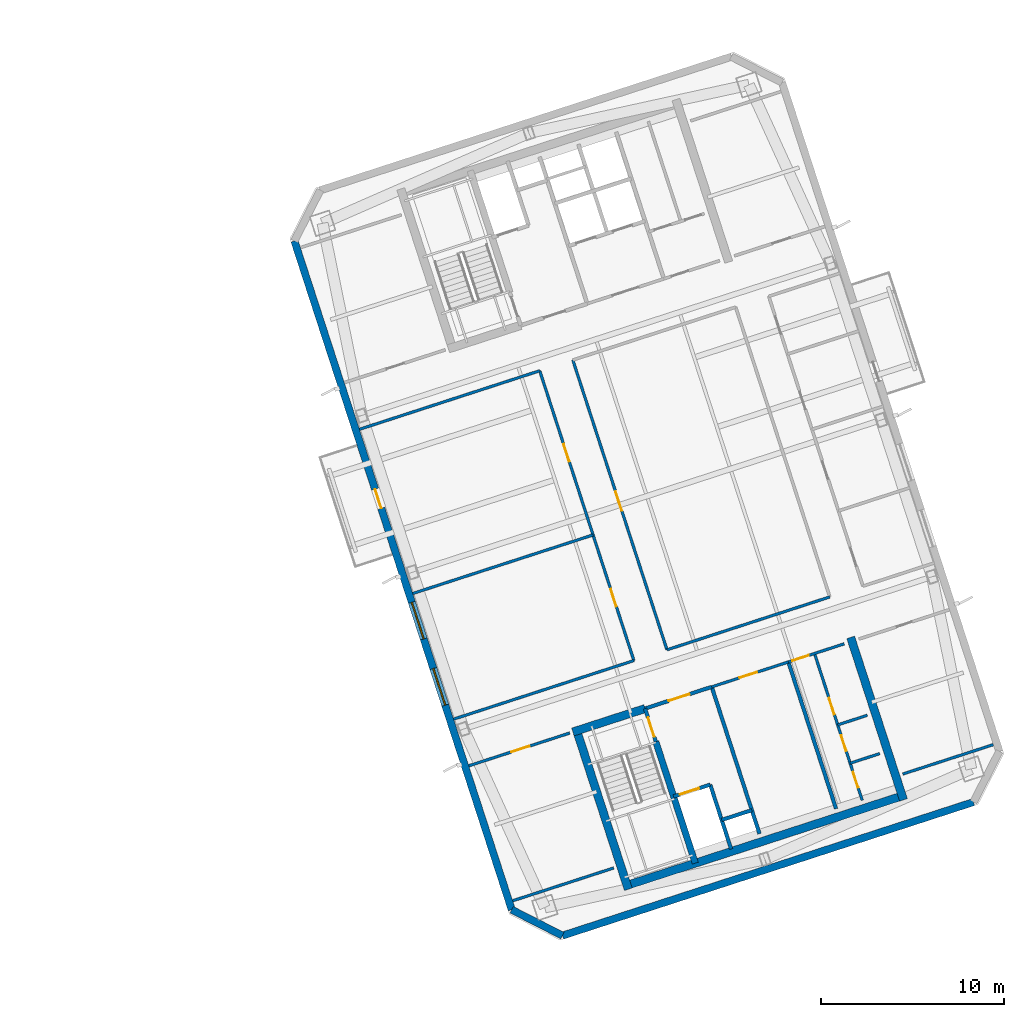
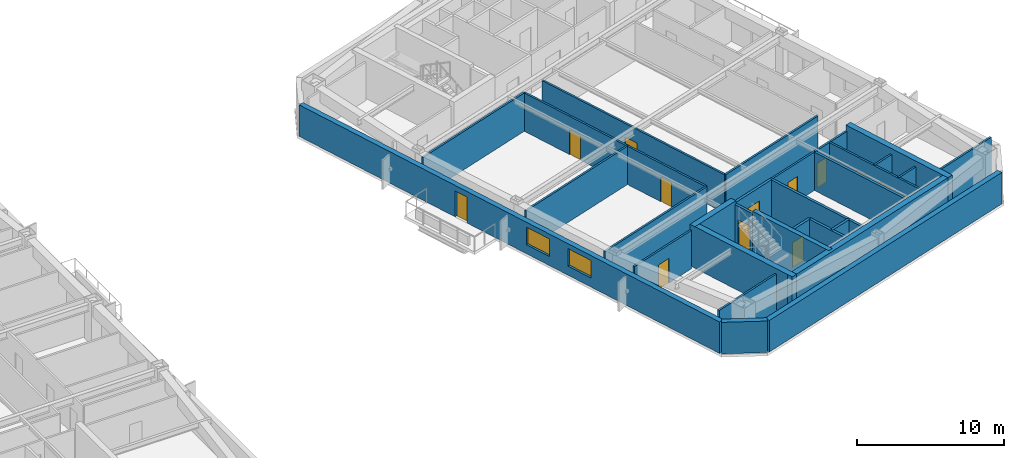
# One storey, part 8 of 17: 29 walls, 13 doors, 2 windows, 15 openings.
"""IFC4 building model written with IfcOpenShell, lengths in metres."""

from ifc_helpers import new_model, si_unit, direction, frame, frame_2d, origin, place, context, subcontext, project, spatial, rectangle, extrude, material, layer, layer_set, type_object, element, fill, save


model = new_model("IFC4")

# Units and contexts
model_context = context("Model", 3, precision=1e-05, world=origin(), true_north=direction((0.0, 1.0)))
body_context = subcontext(model_context, "Body", "Model", "MODEL_VIEW")
ifc_project = project(units=[si_unit("LENGTHUNIT", "METRE"), si_unit("AREAUNIT", "SQUARE_METRE"), si_unit("VOLUMEUNIT", "CUBIC_METRE"), si_unit("PLANEANGLEUNIT", "RADIAN"), si_unit("MASSUNIT", "GRAM", prefix="KILO")], contexts=[model_context])

# Site, building, storey
site_placement = place(None, origin())
site = spatial("IfcSite", under=ifc_project, at=site_placement, CompositionType="ELEMENT")
building_placement = place(site_placement, origin())
building = spatial("IfcBuilding", under=site, at=building_placement, Name="Qiaolan Cultural Towers", CompositionType="ELEMENT")
storey_placement = place(building_placement, frame((0.0, 0.0, 205.85009765625)))
storey = spatial("IfcBuildingStorey", under=building, at=storey_placement, Name="L55", CompositionType="ELEMENT", Elevation=205.85009765625)

# Walls
ifc_material_1 = material(Name="Concrete C50", Category="concrete")
ifc_layer_1 = layer(ifc_material_1, 0.35009765625)
ifc_layer_set_1 = layer_set([ifc_layer_1], Name="Concrete C50")
wall_type_1 = type_object("IfcWallType", Name="WL-CORE-350", PredefinedType="SHEAR", material=ifc_layer_set_1)
wall_1_placement = place(storey_placement, frame((90.486328125, 20.59423828125, 0.0), z_axis=(0.0, 0.0, 1.0), x_axis=(0.309020428229, -0.951055400562, 0.0)))
element("IfcWall", 1, at=wall_1_placement, inside=storey, type_object=wall_type_1, Name="L55 T2-CS Stair Core Dividing Web", PredefinedType="SHEAR", context=body_context, shape_type="SweptSolid", body=[
    extrude(rectangle(XDim=6.97998046875, YDim=0.35009765625, at=frame_2d((3.489990234375, 0.0))), origin(), (0.0, 0.0, 1.0), 3.449951171875),
])
ifc_material_2 = material(Name="Concrete C50", Category="concrete")
ifc_layer_2 = layer(ifc_material_2, 0.449951171875)
ifc_layer_set_2 = layer_set([ifc_layer_2], Name="Concrete C50")
wall_type_2 = type_object("IfcWallType", Name="WL-CORE-450", PredefinedType="SHEAR", material=ifc_layer_set_2)
wall_2_placement = place(storey_placement, frame((88.701171875, 12.675048828125, 0.0), z_axis=(0.0, 0.0, 1.0), x_axis=(0.95105824505, 0.309011673763, 0.0)))
element("IfcWall", 2, at=wall_2_placement, inside=storey, type_object=wall_type_2, Name="L55 T2-CS Outer Core Shear Wall", PredefinedType="SHEAR", context=body_context, shape_type="SweptSolid", body=[
    extrude(rectangle(XDim=16.250244140625, YDim=0.449951171875, at=frame_2d((8.125, 0.0))), origin(), (0.0, 0.0, 1.0), 3.449951171875),
])
for number, where, z_axis, x_axis, name in (
    (3, (86.1015625, 21.40380859375, 0.0), (0.0, 0.0, 1.0), (0.309035778627, -0.951050412717, 0.0), "L55 T2-CS West Core Shear Wall"),
    (4, (101.12841796875, 26.286376953125, 0.0), (0.0, 0.0, 1.0), (0.309004419953, -0.951060601881, 0.0), "L55 T2-CS East Core Shear Wall"),
):
    element("IfcWall", number, at=place(storey_placement, frame(where, z_axis=z_axis, x_axis=x_axis)), inside=storey, type_object=wall_type_2, Name=name, PredefinedType="SHEAR", context=body_context, shape_type="SweptSolid", body=[
        extrude(rectangle(XDim=9.330078125, YDim=0.449951171875, at=frame_2d((4.6650390625, 0.0))), origin(), (0.0, 0.0, 1.0), 3.449951171875),
    ])
wall_3_placement = place(storey_placement, frame((85.957275390625, 21.120361328125, 0.0), z_axis=(0.0, 0.0, 1.0), x_axis=(0.951064796122, 0.308991510526, 0.0)))
element("IfcWall", 5, at=wall_3_placement, inside=storey, type_object=wall_type_2, Name="L55 T2-CS Stair Front Shear Wall", PredefinedType="SHEAR", context=body_context, shape_type="SweptSolid", body=[
    extrude(rectangle(XDim=4.14501953125, YDim=0.449951171875, at=frame_2d((2.072509765625, 0.0))), origin(), (0.0, 0.0, 1.0), 3.449951171875),
])

# Wall, openings, door, windows
ifc_material_3 = material(Name="Precast Concrete C50 Honed Stone Pier", Category="masonry")
ifc_layer_3 = layer(ifc_material_3, 0.39990234375)
ifc_layer_set_3 = layer_set([ifc_layer_3], Name="Precast Concrete C50 Honed Stone Pier")
wall_type_3 = type_object("IfcWallType", Name="WL-EXT-PIER-400", PredefinedType="SOLIDWALL", material=ifc_layer_set_3)
wall_4_placement = place(storey_placement, frame((82.618408203125, 11.41357421875, 0.0), z_axis=(0.0, 0.0, 1.0), x_axis=(-0.309016491071, 0.951056679828, 0.0)))
wall_4 = element("IfcWall", 6, at=wall_4_placement, inside=storey, type_object=wall_type_3, Name="L55 East Tower Precast Pier Facade Wall F1", PredefinedType="SOLIDWALL", context=body_context, shape_type="SweptSolid", body=[
    extrude(rectangle(XDim=38.39990234375, YDim=0.39990234375, at=frame_2d((19.199951171875, 0.0))), origin(), (0.0, 0.0, 1.0), 2.60986328125),
])
opening_1_placement = place(wall_4_placement, frame((11.75, 0.0, 0.75)))
opening_1 = element("IfcOpeningElement", 7, at=opening_1_placement, cuts=wall_4, Name="Opening W-05", PredefinedType="OPENING", context=body_context, shape_type="SweptSolid", body=[
    extrude(rectangle(XDim=2.10009765625, YDim=1.4599609375, at=frame_2d((1.050048828125, 0.72998046875))), frame((0.0, 0.2099609375, 0.0), z_axis=(0.0, -1.0, 0.0), x_axis=(1.0, 0.0, 0.0)), (0.0, 0.0, 1.0), 0.419921875),
])
opening_2_placement = place(wall_4_placement, frame((15.550048828125, 0.0, 0.75)))
opening_2 = element("IfcOpeningElement", 8, at=opening_2_placement, cuts=wall_4, Name="Opening W-05", PredefinedType="OPENING", context=body_context, shape_type="SweptSolid", body=[
    extrude(rectangle(XDim=2.10009765625, YDim=1.4599609375, at=frame_2d((1.050048828125, 0.72998046875))), frame((0.0, 0.2099609375, 0.0), z_axis=(0.0, -1.0, 0.0), x_axis=(1.0, 0.0, 0.0)), (0.0, 0.0, 1.0), 0.419921875),
])
opening_3_placement = place(wall_4_placement, frame((23.050048828125, 0.0, 0.0)))
opening_3 = element("IfcOpeningElement", 9, at=opening_3_placement, cuts=wall_4, Name="Opening BD-01", PredefinedType="OPENING", context=body_context, shape_type="SweptSolid", body=[
    extrude(rectangle(XDim=1.10009765625, YDim=2.14990234375, at=frame_2d((0.550048828125, 1.074951171875))), frame((0.0, 0.2099609375, 0.0), z_axis=(0.0, -1.0, 0.0), x_axis=(1.0, 0.0, 0.0)), (0.0, 0.0, 1.0), 0.419921875),
])
ifc_material_4 = material(Name="Thermally Broken Aluminium Glazed Terrace Door", Category="aluminium")
door_type_1 = type_object("IfcDoorType", Name="DR-BAL-1100", OperationType="NOTDEFINED", PredefinedType="DOOR", material=ifc_material_4)
door_1_placement = place(opening_3_placement, origin())
door_1 = element("IfcDoor", 10, at=door_1_placement, inside=storey, type_object=door_type_1, Name="L55 T2 West Tree Balcony Door", OperationType="SINGLE_SWING_LEFT", OverallHeight=2.14990234375, OverallWidth=1.10009765625, PredefinedType="DOOR", context=body_context, shape_type="SweptSolid", body=[
    extrude(rectangle(XDim=1.10009765625, YDim=2.14990234375, at=frame_2d((0.550048828125, 1.074951171875))), frame((0.0, 0.02490234375, 0.0), z_axis=(0.0, -1.0, 0.0), x_axis=(1.0, 0.0, 0.0)), (0.0, 0.0, 1.0), 0.050048828125),
])
fill(opening_3, door_1)
ifc_material_5 = material(Name="Thermally Broken Aluminium Triple Low-E Glazing", Category="aluminium")
window_type = type_object("IfcWindowType", Name="WN-CHIC-2100", PartitioningType="SINGLE_PANEL", PredefinedType="WINDOW", material=ifc_material_5)
window_1_placement = place(opening_1_placement, origin())
window_1 = element("IfcWindow", 11, at=window_1_placement, inside=storey, type_object=window_type, Name="L55 T2 W Chicago Bay Window 1", OverallHeight=1.4599609375, OverallWidth=2.10009765625, PartitioningType="TRIPLE_PANEL_VERTICAL", PredefinedType="WINDOW", context=body_context, shape_type="SweptSolid", body=[
    extrude(rectangle(XDim=2.10009765625, YDim=1.4599609375, at=frame_2d((1.050048828125, 0.72998046875))), frame((0.0, 0.030029296875, 0.0), z_axis=(0.0, -1.0, 0.0), x_axis=(1.0, 0.0, 0.0)), (0.0, 0.0, 1.0), 0.06005859375),
])
fill(opening_1, window_1)
window_2_placement = place(opening_2_placement, origin())
window_2 = element("IfcWindow", 12, at=window_2_placement, inside=storey, type_object=window_type, Name="L55 T2 W Chicago Bay Window 2", OverallHeight=1.4599609375, OverallWidth=2.10009765625, PartitioningType="TRIPLE_PANEL_VERTICAL", PredefinedType="WINDOW", context=body_context, shape_type="SweptSolid", body=[
    extrude(rectangle(XDim=2.10009765625, YDim=1.4599609375, at=frame_2d((1.050048828125, 0.72998046875))), frame((0.0, 0.030029296875, 0.0), z_axis=(0.0, -1.0, 0.0), x_axis=(1.0, 0.0, 0.0)), (0.0, 0.0, 1.0), 0.06005859375),
])
fill(opening_2, window_2)

# Walls
wall_5_placement = place(storey_placement, frame((107.83544921875, 17.293701171875, 0.0), z_axis=(0.0, 0.0, 1.0), x_axis=(-0.951058012937, -0.309012388148, 0.0)))
element("IfcWall", 13, at=wall_5_placement, inside=storey, type_object=wall_type_3, Name="L55 East Tower Precast Pier Facade Wall F7", PredefinedType="SOLIDWALL", context=body_context, shape_type="SweptSolid", body=[
    extrude(rectangle(XDim=23.60009765625, YDim=0.39990234375, at=frame_2d((11.800048828125, 0.0))), origin(), (0.0, 0.0, 1.0), 2.60986328125),
])
wall_6_placement = place(storey_placement, frame((85.390380859375, 10.0009765625, 0.0), z_axis=(0.0, 0.0, 1.0), x_axis=(-0.890979603174, 0.454043331334, 0.0)))
element("IfcWall", 14, at=wall_6_placement, inside=storey, type_object=wall_type_3, Name="L55 East Tower Precast Pier Facade Wall F8", PredefinedType="SOLIDWALL", context=body_context, shape_type="SweptSolid", body=[
    extrude(rectangle(XDim=3.111083984375, YDim=0.39990234375, at=frame_2d((1.5556640625, 0.0))), origin(), (0.0, 0.0, 1.0), 2.60986328125),
])

# Wall, opening, door
ifc_material_6 = material(Name="Concrete C35 Fire Wall", Category="concrete")
ifc_layer_4 = layer(ifc_material_6, 0.199951171875)
ifc_layer_set_4 = layer_set([ifc_layer_4], Name="Concrete C35 Fire Wall")
wall_type_4 = type_object("IfcWallType", Name="WL-FIRE-200", PredefinedType="PARTITIONING", material=ifc_layer_set_4)
wall_7_placement = place(storey_placement, frame((89.8994140625, 22.401123046875, 0.0), z_axis=(0.0, 0.0, 1.0), x_axis=(0.308932062672, -0.951084108086, 0.0)))
wall_7 = element("IfcWall", 15, at=wall_7_placement, inside=storey, type_object=wall_type_4, Name="L55 T2-CS Smokeproof Stair Entry Wall", PredefinedType="PARTITIONING", context=body_context, shape_type="SweptSolid", body=[
    extrude(rectangle(XDim=1.89990234375, YDim=0.199951171875, at=frame_2d((0.949951171875, 0.0))), origin(), (0.0, 0.0, 1.0), 3.1748046875),
])
opening_4_placement = place(wall_7_placement, frame((0.52001953125, 0.0, 0.0)))
opening_4 = element("IfcOpeningElement", 16, at=opening_4_placement, cuts=wall_7, Name="Opening FD-04", PredefinedType="OPENING", context=body_context, shape_type="SweptSolid", body=[
    extrude(rectangle(XDim=1.10009765625, YDim=2.050048828125, at=frame_2d((0.550048828125, 1.02490234375))), frame((0.0, 0.10986328125, 0.0), z_axis=(0.0, -1.0, 0.0), x_axis=(1.0, 0.0, 0.0)), (0.0, 0.0, 1.0), 0.219970703125),
])
ifc_material_7 = material(Name="Galvanized Steel Command Fire Door", Category="steel")
door_type_2 = type_object("IfcDoorType", Name="DR-FD90-1100", OperationType="NOTDEFINED", PredefinedType="DOOR", material=ifc_material_7)
door_2_placement = place(opening_4_placement, origin())
door_2 = element("IfcDoor", 17, at=door_2_placement, inside=storey, type_object=door_type_2, Name="L55 ST-E1 Smokeproof Stair Fire Door", OperationType="SINGLE_SWING_LEFT", OverallHeight=2.050048828125, OverallWidth=1.10009765625, PredefinedType="DOOR", context=body_context, shape_type="SweptSolid", body=[
    extrude(rectangle(XDim=1.10009765625, YDim=2.050048828125, at=frame_2d((0.550048828125, 1.02490234375))), frame((0.0, 0.02490234375, 0.0), z_axis=(0.0, -1.0, 0.0), x_axis=(1.0, 0.0, 0.0)), (0.0, 0.0, 1.0), 0.050048828125),
])
fill(opening_4, door_2)

# Wall
wall_8_placement = place(storey_placement, frame((93.541748046875, 23.584716796875, 0.0), z_axis=(0.0, 0.0, 1.0), x_axis=(0.309042196757, -0.951048327176, 0.0)))
element("IfcWall", 18, at=wall_8_placement, inside=storey, type_object=wall_type_4, Name="L55 T2-CS Firefighting Zone Wall", PredefinedType="PARTITIONING", context=body_context, shape_type="SweptSolid", body=[
    extrude(rectangle(XDim=8.429931640625, YDim=0.199951171875, at=frame_2d((4.21484375, 0.0))), origin(), (0.0, 0.0, 1.0), 3.1748046875),
])

# Wall, opening, door
wall_9_placement = place(storey_placement, frame((89.8994140625, 22.401123046875, 0.0), z_axis=(0.0, 0.0, 1.0), x_axis=(0.951046716504, 0.309047153403, 0.0)))
wall_9 = element("IfcWall", 19, at=wall_9_placement, inside=storey, type_object=wall_type_4, Name="L55 T2-CS Firefighting Lobby Front Wall", PredefinedType="PARTITIONING", context=body_context, shape_type="SweptSolid", body=[
    extrude(rectangle(XDim=3.829833984375, YDim=0.199951171875, at=frame_2d((1.9150390625, 0.0))), origin(), (0.0, 0.0, 1.0), 3.1748046875),
])
opening_5_placement = place(wall_9_placement, frame((1.35009765625, 0.0, 0.0)))
opening_5 = element("IfcOpeningElement", 20, at=opening_5_placement, cuts=wall_9, Name="Opening FD-03", PredefinedType="OPENING", context=body_context, shape_type="SweptSolid", body=[
    extrude(rectangle(XDim=1.199951171875, YDim=2.050048828125, at=frame_2d((0.60009765625, 1.02490234375))), frame((0.0, 0.10986328125, 0.0), z_axis=(0.0, -1.0, 0.0), x_axis=(1.0, 0.0, 0.0)), (0.0, 0.0, 1.0), 0.219970703125),
])
ifc_material_8 = material(Name="Galvanized Steel Smokeproof Lobby Fire Door", Category="steel")
door_type_3 = type_object("IfcDoorType", Name="DR-FD90-1200", OperationType="NOTDEFINED", PredefinedType="DOOR", material=ifc_material_8)
door_3_placement = place(opening_5_placement, origin())
door_3 = element("IfcDoor", 21, at=door_3_placement, inside=storey, type_object=door_type_3, Name="L55 FFL-E1 Firefighting Lobby Fire Door", OperationType="SINGLE_SWING_LEFT", OverallHeight=2.050048828125, OverallWidth=1.199951171875, PredefinedType="DOOR", context=body_context, shape_type="SweptSolid", body=[
    extrude(rectangle(XDim=1.199951171875, YDim=2.050048828125, at=frame_2d((0.60009765625, 1.02490234375))), frame((0.0, 0.02490234375, 0.0), z_axis=(0.0, -1.0, 0.0), x_axis=(1.0, 0.0, 0.0)), (0.0, 0.0, 1.0), 0.050048828125),
])
fill(opening_5, door_3)

wall_10_placement = place(storey_placement, frame((91.459716796875, 17.598388671875, 0.0), z_axis=(0.0, 0.0, 1.0), x_axis=(0.951062257173, 0.308999325213, 0.0)))
wall_10 = element("IfcWall", 22, at=wall_10_placement, inside=storey, type_object=wall_type_4, Name="L55 T2-CS Firefighting Shaft Front Wall", PredefinedType="PARTITIONING", context=body_context, shape_type="SweptSolid", body=[
    extrude(rectangle(XDim=2.10009765625, YDim=0.199951171875, at=frame_2d((1.050048828125, 0.0))), origin(), (0.0, 0.0, 1.0), 3.1748046875),
])
opening_6_placement = place(wall_10_placement, frame((0.35009765625, 0.0, 0.0)))
opening_6 = element("IfcOpeningElement", 23, at=opening_6_placement, cuts=wall_10, Name="Opening LD-01", PredefinedType="OPENING", context=body_context, shape_type="SweptSolid", body=[
    extrude(rectangle(XDim=1.10009765625, YDim=2.050048828125, at=frame_2d((0.550048828125, 1.02490234375))), frame((0.0, 0.10986328125, 0.0), z_axis=(0.0, -1.0, 0.0), x_axis=(1.0, 0.0, 0.0)), (0.0, 0.0, 1.0), 0.219970703125),
])
ifc_material_9 = material(Name="Brushed Stainless Steel S30408 Centre-Parting Lift Landing Door", Category="steel")
door_type_4 = type_object("IfcDoorType", Name="DR-LIFT-1100", OperationType="NOTDEFINED", PredefinedType="DOOR", material=ifc_material_9)
door_4_placement = place(opening_6_placement, origin())
door_4 = element("IfcDoor", 24, at=door_4_placement, inside=storey, type_object=door_type_4, Name="L55 FFL-E1 Firefighting Lift Landing Door", OperationType="DOUBLE_DOOR_SLIDING", OverallHeight=2.050048828125, OverallWidth=1.10009765625, PredefinedType="DOOR", context=body_context, shape_type="SweptSolid", body=[
    extrude(rectangle(XDim=1.10009765625, YDim=2.050048828125, at=frame_2d((0.550048828125, 1.02490234375))), frame((0.0, 0.02490234375, 0.0), z_axis=(0.0, -1.0, 0.0), x_axis=(1.0, 0.0, 0.0)), (0.0, 0.0, 1.0), 0.050048828125),
])
fill(opening_6, door_4)

# Walls
wall_11_placement = place(storey_placement, frame((93.45703125, 18.247314453125, 0.0), z_axis=(0.0, 0.0, 1.0), x_axis=(0.3089935693, -0.951064127245, 0.0)))
element("IfcWall", 25, at=wall_11_placement, inside=storey, type_object=wall_type_4, Name="L55 T2-CS Firefighting Hoistway East Wall", PredefinedType="PARTITIONING", context=body_context, shape_type="SweptSolid", body=[
    extrude(rectangle(XDim=3.7001953125, YDim=0.199951171875, at=frame_2d((1.85009765625, 0.0))), origin(), (0.0, 0.0, 1.0), 3.1748046875),
])
wall_12_placement = place(storey_placement, frame((94.08447265625, 16.316650390625, 0.0), z_axis=(0.0, 0.0, 1.0), x_axis=(0.951041328149, 0.309063734775, 0.0)))
element("IfcWall", 26, at=wall_12_placement, inside=storey, type_object=wall_type_4, Name="L55 T2-CS Pressurization Shaft Front Wall", PredefinedType="PARTITIONING", context=body_context, shape_type="SweptSolid", body=[
    extrude(rectangle(XDim=1.72998046875, YDim=0.199951171875, at=frame_2d((0.864990234375, 0.0))), origin(), (0.0, 0.0, 1.0), 3.1748046875),
])
wall_13_placement = place(storey_placement, frame((97.7265625, 24.9443359375, 0.0), z_axis=(0.0, 0.0, 1.0), x_axis=(0.309016001439, -0.951056838919, 0.0)))
element("IfcWall", 27, at=wall_13_placement, inside=storey, type_object=wall_type_4, Name="L55 T2-CS Lift Core East Wall", PredefinedType="PARTITIONING", context=body_context, shape_type="SweptSolid", body=[
    extrude(rectangle(XDim=8.429931640625, YDim=0.199951171875, at=frame_2d((4.21484375, 0.0))), origin(), (0.0, 0.0, 1.0), 3.1748046875),
])

# Wall, opening, door
ifc_material_10 = material(Name="Autoclaved Aerated Concrete Block B06", Category="concrete")
ifc_layer_5 = layer(ifc_material_10, 0.14990234375)
ifc_layer_set_5 = layer_set([ifc_layer_5], Name="Autoclaved Aerated Concrete Block B06")
wall_type_5 = type_object("IfcWallType", Name="WL-PART-150", PredefinedType="PARTITIONING", material=ifc_layer_set_5)
wall_14_placement = place(storey_placement, frame((93.541748046875, 23.584716796875, 0.0), z_axis=(0.0, 0.0, 1.0), x_axis=(0.951063829732, 0.308994485023, 0.0)))
wall_14 = element("IfcWall", 28, at=wall_14_placement, inside=storey, type_object=wall_type_5, Name="L55 T2-CS Reclaimed Core Room Front Wall", PredefinedType="PARTITIONING", context=body_context, shape_type="SweptSolid", body=[
    extrude(rectangle(XDim=4.400146484375, YDim=0.14990234375, at=frame_2d((2.2001953125, 0.0))), origin(), (0.0, 0.0, 1.0), 3.1748046875),
])
opening_7_placement = place(wall_14_placement, frame((1.60009765625, 0.0, 0.0)))
opening_7 = element("IfcOpeningElement", 29, at=opening_7_placement, cuts=wall_14, Name="Opening ID-04", PredefinedType="OPENING", context=body_context, shape_type="SweptSolid", body=[
    extrude(rectangle(XDim=1.0, YDim=2.050048828125, at=frame_2d((0.5, 1.02490234375))), frame((0.0, 0.0849609375, 0.0), z_axis=(0.0, -1.0, 0.0), x_axis=(1.0, 0.0, 0.0)), (0.0, 0.0, 1.0), 0.169921875),
])
ifc_material_11 = material(Name="Oak Veneer Acoustic Office Door", Category="timber")
door_type_5 = type_object("IfcDoorType", Name="DR-INT-1000", OperationType="NOTDEFINED", PredefinedType="DOOR", material=ifc_material_11)
door_5_placement = place(opening_7_placement, origin())
door_5 = element("IfcDoor", 30, at=door_5_placement, inside=storey, type_object=door_type_5, Name="L55 Reclaimed Archive Room Door", OperationType="SINGLE_SWING_LEFT", OverallHeight=2.050048828125, OverallWidth=1.0, PredefinedType="DOOR", context=body_context, shape_type="SweptSolid", body=[
    extrude(rectangle(XDim=1.0, YDim=2.050048828125, at=frame_2d((0.5, 1.02490234375))), frame((0.0, 0.02490234375, 0.0), z_axis=(0.0, -1.0, 0.0), x_axis=(1.0, 0.0, 0.0)), (0.0, 0.0, 1.0), 0.050048828125),
])
fill(opening_7, door_5)

wall_15_placement = place(storey_placement, frame((97.7265625, 24.9443359375, 0.0), z_axis=(0.0, 0.0, 1.0), x_axis=(0.951036872128, 0.309077446369, 0.0)))
wall_15 = element("IfcWall", 31, at=wall_15_placement, inside=storey, type_object=wall_type_5, Name="L55 T2-CS Sanitary Core Front Wall", PredefinedType="PARTITIONING", context=body_context, shape_type="SweptSolid", body=[
    extrude(rectangle(XDim=3.199951171875, YDim=0.14990234375, at=frame_2d((1.60009765625, 0.0))), origin(), (0.0, 0.0, 1.0), 3.1748046875),
])
opening_8_placement = place(wall_15_placement, frame((0.219970703125, 0.0, 0.0)))
opening_8 = element("IfcOpeningElement", 32, at=opening_8_placement, cuts=wall_15, Name="Opening ID-05", PredefinedType="OPENING", context=body_context, shape_type="SweptSolid", body=[
    extrude(rectangle(XDim=0.949951171875, YDim=2.050048828125, at=frame_2d((0.47509765625, 1.02490234375))), frame((0.0, 0.0849609375, 0.0), z_axis=(0.0, -1.0, 0.0), x_axis=(1.0, 0.0, 0.0)), (0.0, 0.0, 1.0), 0.169921875),
])
ifc_material_12 = material(Name="Fire-Rated Laminate Accessible Core Door", Category="timber")
door_type_6 = type_object("IfcDoorType", Name="DR-INT-950", OperationType="NOTDEFINED", PredefinedType="DOOR", material=ifc_material_12)
door_6_placement = place(opening_8_placement, origin())
door_6 = element("IfcDoor", 33, at=door_6_placement, inside=storey, type_object=door_type_6, Name="L55 Sanitary Vestibule Door", OperationType="SINGLE_SWING_LEFT", OverallHeight=2.050048828125, OverallWidth=0.949951171875, PredefinedType="DOOR", context=body_context, shape_type="SweptSolid", body=[
    extrude(rectangle(XDim=0.949951171875, YDim=2.050048828125, at=frame_2d((0.47509765625, 1.02490234375))), frame((0.0, 0.02490234375, 0.0), z_axis=(0.0, -1.0, 0.0), x_axis=(1.0, 0.0, 0.0)), (0.0, 0.0, 1.0), 0.050048828125),
])
fill(opening_8, door_6)

# Wall, openings, doors
wall_16_placement = place(storey_placement, frame((99.153076171875, 25.407958984375, 0.0), z_axis=(0.0, 0.0, 1.0), x_axis=(0.309016001439, -0.951056838919, 0.0)))
wall_16 = element("IfcWall", 34, at=wall_16_placement, inside=storey, type_object=wall_type_5, Name="L55 T2-CS Sanitary Vestibule Wall", PredefinedType="PARTITIONING", context=body_context, shape_type="SweptSolid", body=[
    extrude(rectangle(XDim=8.429931640625, YDim=0.14990234375, at=frame_2d((4.21484375, 0.0))), origin(), (0.0, 0.0, 1.0), 3.1748046875),
])
opening_9_placement = place(wall_16_placement, frame((2.550048828125, 0.0, 0.0)))
opening_9 = element("IfcOpeningElement", 35, at=opening_9_placement, cuts=wall_16, Name="Opening ID-05", PredefinedType="OPENING", context=body_context, shape_type="SweptSolid", body=[
    extrude(rectangle(XDim=0.949951171875, YDim=2.050048828125, at=frame_2d((0.47509765625, 1.02490234375))), frame((0.0, 0.0849609375, 0.0), z_axis=(0.0, -1.0, 0.0), x_axis=(1.0, 0.0, 0.0)), (0.0, 0.0, 1.0), 0.169921875),
])
opening_10_placement = place(wall_16_placement, frame((4.699951171875, 0.0, 0.0)))
opening_10 = element("IfcOpeningElement", 36, at=opening_10_placement, cuts=wall_16, Name="Opening ID-06", PredefinedType="OPENING", context=body_context, shape_type="SweptSolid", body=[
    extrude(rectangle(XDim=0.89990234375, YDim=2.050048828125, at=frame_2d((0.449951171875, 1.02490234375))), frame((0.0, 0.0849609375, 0.0), z_axis=(0.0, -1.0, 0.0), x_axis=(1.0, 0.0, 0.0)), (0.0, 0.0, 1.0), 0.169921875),
])
opening_11_placement = place(wall_16_placement, frame((6.800048828125, 0.0, 0.0)))
opening_11 = element("IfcOpeningElement", 37, at=opening_11_placement, cuts=wall_16, Name="Opening ID-06", PredefinedType="OPENING", context=body_context, shape_type="SweptSolid", body=[
    extrude(rectangle(XDim=0.89990234375, YDim=2.050048828125, at=frame_2d((0.449951171875, 1.02490234375))), frame((0.0, 0.0849609375, 0.0), z_axis=(0.0, -1.0, 0.0), x_axis=(1.0, 0.0, 0.0)), (0.0, 0.0, 1.0), 0.169921875),
])
ifc_material_13 = material(Name="Fire-Rated Laminate Core Service Door", Category="timber")
door_type_7 = type_object("IfcDoorType", Name="DR-INT-900", OperationType="NOTDEFINED", PredefinedType="DOOR", material=ifc_material_13)
door_7_placement = place(opening_10_placement, origin())
door_7 = element("IfcDoor", 38, at=door_7_placement, inside=storey, type_object=door_type_7, Name="L55 Men Washroom Door", OperationType="SINGLE_SWING_LEFT", OverallHeight=2.050048828125, OverallWidth=0.89990234375, PredefinedType="DOOR", context=body_context, shape_type="SweptSolid", body=[
    extrude(rectangle(XDim=0.89990234375, YDim=2.050048828125, at=frame_2d((0.449951171875, 1.02490234375))), frame((0.0, 0.02490234375, 0.0), z_axis=(0.0, -1.0, 0.0), x_axis=(1.0, 0.0, 0.0)), (0.0, 0.0, 1.0), 0.050048828125),
])
fill(opening_10, door_7)
door_8_placement = place(opening_11_placement, origin())
door_8 = element("IfcDoor", 39, at=door_8_placement, inside=storey, type_object=door_type_7, Name="L55 Women Washroom Door", OperationType="SINGLE_SWING_RIGHT", OverallHeight=2.050048828125, OverallWidth=0.89990234375, PredefinedType="DOOR", context=body_context, shape_type="SweptSolid", body=[
    extrude(rectangle(XDim=0.89990234375, YDim=2.050048828125, at=frame_2d((0.449951171875, 1.02490234375))), frame((0.0, 0.02490234375, 0.0), z_axis=(0.0, -1.0, 0.0), x_axis=(1.0, 0.0, 0.0)), (0.0, 0.0, 1.0), 0.050048828125),
])
fill(opening_11, door_8)
door_9_placement = place(opening_9_placement, origin())
door_9 = element("IfcDoor", 40, at=door_9_placement, inside=storey, type_object=door_type_6, Name="L55 Accessible Family Washroom Door", OperationType="SINGLE_SWING_LEFT", OverallHeight=2.050048828125, OverallWidth=0.949951171875, PredefinedType="DOOR", context=body_context, shape_type="SweptSolid", body=[
    extrude(rectangle(XDim=0.949951171875, YDim=2.050048828125, at=frame_2d((0.47509765625, 1.02490234375))), frame((0.0, 0.02490234375, 0.0), z_axis=(0.0, -1.0, 0.0), x_axis=(1.0, 0.0, 0.0)), (0.0, 0.0, 1.0), 0.050048828125),
])
fill(opening_9, door_9)

# Walls
wall_17_placement = place(storey_placement, frame((100.420166015625, 21.508544921875, 0.0), z_axis=(0.0, 0.0, 1.0), x_axis=(0.951040401051, 0.309066587596, 0.0)))
element("IfcWall", 41, at=wall_17_placement, inside=storey, type_object=wall_type_5, Name="L55 T2-CS Restroom Split Wall 1", PredefinedType="PARTITIONING", context=body_context, shape_type="SweptSolid", body=[
    extrude(rectangle(XDim=1.699951171875, YDim=0.14990234375, at=frame_2d((0.85009765625, 0.0))), origin(), (0.0, 0.0, 1.0), 3.1748046875),
])
wall_18_placement = place(storey_placement, frame((101.099853515625, 19.416259765625, 0.0), z_axis=(0.0, 0.0, 1.0), x_axis=(0.951054116971, 0.309024378638, 0.0)))
element("IfcWall", 42, at=wall_18_placement, inside=storey, type_object=wall_type_5, Name="L55 T2-CS Restroom Split Wall 2", PredefinedType="PARTITIONING", context=body_context, shape_type="SweptSolid", body=[
    extrude(rectangle(XDim=1.7001953125, YDim=0.14990234375, at=frame_2d((0.85009765625, 0.0))), origin(), (0.0, 0.0, 1.0), 3.1748046875),
])
wall_19_placement = place(storey_placement, frame((82.66943359375, 11.9033203125, 0.0), z_axis=(0.0, 0.0, 1.0), x_axis=(0.951059431056, 0.309008023519, 0.0)))
element("IfcWall", 43, at=wall_19_placement, inside=storey, type_object=wall_type_5, Name="L55 T2 Flank Wall FLK-SW", PredefinedType="PARTITIONING", context=body_context, shape_type="SweptSolid", body=[
    extrude(rectangle(XDim=5.800048828125, YDim=0.14990234375, at=frame_2d((2.89990234375, 0.0))), origin(), (0.0, 0.0, 1.0), 3.1748046875),
])

# Wall, opening, door
wall_20_placement = place(storey_placement, frame((80.274658203125, 19.27392578125, 0.0), z_axis=(0.0, 0.0, 1.0), x_axis=(0.951059431056, 0.309008023519, 0.0)))
wall_20 = element("IfcWall", 44, at=wall_20_placement, inside=storey, type_object=wall_type_5, Name="L55 T2 Flank Front FLK-SW", PredefinedType="PARTITIONING", context=body_context, shape_type="SweptSolid", body=[
    extrude(rectangle(XDim=5.800048828125, YDim=0.14990234375, at=frame_2d((2.89990234375, 0.0))), origin(), (0.0, 0.0, 1.0), 3.1748046875),
])
opening_12_placement = place(wall_20_placement, frame((2.43603515625, 0.0, 0.0)))
opening_12 = element("IfcOpeningElement", 45, at=opening_12_placement, cuts=wall_20, Name="Opening ID-07", PredefinedType="OPENING", context=body_context, shape_type="SweptSolid", body=[
    extrude(rectangle(XDim=1.050048828125, YDim=2.050048828125, at=frame_2d((0.52490234375, 1.02490234375))), frame((0.0, 0.0849609375, 0.0), z_axis=(0.0, -1.0, 0.0), x_axis=(1.0, 0.0, 0.0)), (0.0, 0.0, 1.0), 0.169921875),
])
ifc_material_14 = material(Name="Oak Veneer Consultation Door", Category="timber")
door_type_8 = type_object("IfcDoorType", Name="DR-INT-1050", OperationType="NOTDEFINED", PredefinedType="DOOR", material=ifc_material_14)
door_10_placement = place(opening_12_placement, origin())
door_10 = element("IfcDoor", 46, at=door_10_placement, inside=storey, type_object=door_type_8, Name="L55 T2 Corner Studio Door", OperationType="SINGLE_SWING_LEFT", OverallHeight=2.050048828125, OverallWidth=1.050048828125, PredefinedType="DOOR", context=body_context, shape_type="SweptSolid", body=[
    extrude(rectangle(XDim=1.050048828125, YDim=2.050048828125, at=frame_2d((0.52490234375, 1.02490234375))), frame((0.0, 0.02490234375, 0.0), z_axis=(0.0, -1.0, 0.0), x_axis=(1.0, 0.0, 0.0)), (0.0, 0.0, 1.0), 0.050048828125),
])
fill(opening_12, door_10)

# Walls
wall_21_placement = place(storey_placement, frame((103.97314453125, 18.8251953125, 0.0), z_axis=(0.0, 0.0, 1.0), x_axis=(0.951055112834, 0.309021313752, 0.0)))
element("IfcWall", 47, at=wall_21_placement, inside=storey, type_object=wall_type_5, Name="L55 T2 Flank Wall FLK-SE", PredefinedType="PARTITIONING", context=body_context, shape_type="SweptSolid", body=[
    extrude(rectangle(XDim=5.2001953125, YDim=0.14990234375, at=frame_2d((2.60009765625, 0.0))), origin(), (0.0, 0.0, 1.0), 3.1748046875),
])
wall_22_placement = place(storey_placement, frame((79.446533203125, 21.82275390625, 0.0), z_axis=(0.0, 0.0, 1.0), x_axis=(0.951057294912, 0.309014598029, 0.0)))
element("IfcWall", 48, at=wall_22_placement, inside=storey, type_object=wall_type_5, Name="L55 T2 Interior Wall", PredefinedType="PARTITIONING", context=body_context, shape_type="SweptSolid", body=[
    extrude(rectangle(XDim=10.349853515625, YDim=0.14990234375, at=frame_2d((5.1748046875, 0.0))), origin(), (0.0, 0.0, 1.0), 3.1748046875),
])
wall_23_placement = place(storey_placement, frame((91.096923828125, 25.608154296875, 0.0), z_axis=(0.0, 0.0, 1.0), x_axis=(0.951053063704, 0.309027620156, 0.0)))
element("IfcWall", 49, at=wall_23_placement, inside=storey, type_object=wall_type_5, Name="L55 T2 Interior Wall", PredefinedType="PARTITIONING", context=body_context, shape_type="SweptSolid", body=[
    extrude(rectangle(XDim=9.35009765625, YDim=0.14990234375, at=frame_2d((4.675048828125, 0.0))), origin(), (0.0, 0.0, 1.0), 3.1748046875),
])
wall_24_placement = place(storey_placement, frame((74.304443359375, 37.6484375, 0.0), z_axis=(0.0, 0.0, 1.0), x_axis=(0.951059547341, 0.309007665621, 0.0)))
element("IfcWall", 50, at=wall_24_placement, inside=storey, type_object=wall_type_5, Name="L55 T2 Interior Wall", PredefinedType="PARTITIONING", context=body_context, shape_type="SweptSolid", body=[
    extrude(rectangle(XDim=10.35009765625, YDim=0.14990234375, at=frame_2d((5.175048828125, 0.0))), origin(), (0.0, 0.0, 1.0), 3.1748046875),
])

# Wall, openings, doors
wall_25_placement = place(storey_placement, frame((89.289794921875, 25.02099609375, 0.0), z_axis=(0.0, 0.0, 1.0), x_axis=(-0.309004459387, 0.951060589068, 0.0)))
wall_25 = element("IfcWall", 51, at=wall_25_placement, inside=storey, type_object=wall_type_5, Name="L55 T2 Interior Wall", PredefinedType="PARTITIONING", context=body_context, shape_type="SweptSolid", body=[
    extrude(rectangle(XDim=16.64013671875, YDim=0.14990234375, at=frame_2d((8.320068359375, 0.0))), origin(), (0.0, 0.0, 1.0), 3.1748046875),
])
opening_13_placement = place(wall_25_placement, frame((3.10693359375, 0.0, 0.0)))
opening_13 = element("IfcOpeningElement", 52, at=opening_13_placement, cuts=wall_25, Name="Opening ID-04", PredefinedType="OPENING", context=body_context, shape_type="SweptSolid", body=[
    extrude(rectangle(XDim=1.0, YDim=2.050048828125, at=frame_2d((0.5, 1.02490234375))), frame((0.0, 0.0849609375, 0.0), z_axis=(0.0, -1.0, 0.0), x_axis=(1.0, 0.0, 0.0)), (0.0, 0.0, 1.0), 0.169921875),
])
opening_14_placement = place(wall_25_placement, frame((11.427001953125, 0.0, 0.0)))
opening_14 = element("IfcOpeningElement", 53, at=opening_14_placement, cuts=wall_25, Name="Opening ID-04", PredefinedType="OPENING", context=body_context, shape_type="SweptSolid", body=[
    extrude(rectangle(XDim=1.0, YDim=2.050048828125, at=frame_2d((0.5, 1.02490234375))), frame((0.0, 0.0849609375, 0.0), z_axis=(0.0, -1.0, 0.0), x_axis=(1.0, 0.0, 0.0)), (0.0, 0.0, 1.0), 0.169921875),
])
door_11_placement = place(opening_13_placement, origin())
door_11 = element("IfcDoor", 54, at=door_11_placement, inside=storey, type_object=door_type_5, Name="L55 T2 Grand Cultural Forum Hall Door", OperationType="SINGLE_SWING_LEFT", OverallHeight=2.050048828125, OverallWidth=1.0, PredefinedType="DOOR", context=body_context, shape_type="SweptSolid", body=[
    extrude(rectangle(XDim=1.0, YDim=2.050048828125, at=frame_2d((0.5, 1.02490234375))), frame((0.0, 0.02490234375, 0.0), z_axis=(0.0, -1.0, 0.0), x_axis=(1.0, 0.0, 0.0)), (0.0, 0.0, 1.0), 0.050048828125),
])
fill(opening_13, door_11)
door_12_placement = place(opening_14_placement, origin())
door_12 = element("IfcDoor", 55, at=door_12_placement, inside=storey, type_object=door_type_5, Name="L55 T2 Forum Green Lounge Door", OperationType="SINGLE_SWING_RIGHT", OverallHeight=2.050048828125, OverallWidth=1.0, PredefinedType="DOOR", context=body_context, shape_type="SweptSolid", body=[
    extrude(rectangle(XDim=1.0, YDim=2.050048828125, at=frame_2d((0.5, 1.02490234375))), frame((0.0, 0.02490234375, 0.0), z_axis=(0.0, -1.0, 0.0), x_axis=(1.0, 0.0, 0.0)), (0.0, 0.0, 1.0), 0.050048828125),
])
fill(opening_14, door_12)

# Wall, opening, door
wall_26_placement = place(storey_placement, frame((91.096923828125, 25.608154296875, 0.0), z_axis=(0.0, 0.0, 1.0), x_axis=(-0.30901773025, 0.951056277195, 0.0)))
wall_26 = element("IfcWall", 56, at=wall_26_placement, inside=storey, type_object=wall_type_5, Name="L55 T2 Interior Wall", PredefinedType="PARTITIONING", context=body_context, shape_type="SweptSolid", body=[
    extrude(rectangle(XDim=16.64013671875, YDim=0.14990234375, at=frame_2d((8.320068359375, 0.0))), origin(), (0.0, 0.0, 1.0), 3.1748046875),
])
opening_15_placement = place(wall_26_placement, frame((7.9873046875, 0.0, 0.0)))
opening_15 = element("IfcOpeningElement", 57, at=opening_15_placement, cuts=wall_26, Name="Opening ID-03", PredefinedType="OPENING", context=body_context, shape_type="SweptSolid", body=[
    extrude(rectangle(XDim=1.10009765625, YDim=2.050048828125, at=frame_2d((0.550048828125, 1.02490234375))), frame((0.0, 0.0849609375, 0.0), z_axis=(0.0, -1.0, 0.0), x_axis=(1.0, 0.0, 0.0)), (0.0, 0.0, 1.0), 0.169921875),
])
ifc_material_15 = material(Name="Oak Veneer Solid-Core Boardroom Door", Category="timber")
door_type_9 = type_object("IfcDoorType", Name="DR-INT-1100", OperationType="NOTDEFINED", PredefinedType="DOOR", material=ifc_material_15)
door_13_placement = place(opening_15_placement, origin())
door_13 = element("IfcDoor", 58, at=door_13_placement, inside=storey, type_object=door_type_9, Name="L55 T2 Central Colloquium Hall Door", OperationType="SINGLE_SWING_LEFT", OverallHeight=2.050048828125, OverallWidth=1.10009765625, PredefinedType="DOOR", context=body_context, shape_type="SweptSolid", body=[
    extrude(rectangle(XDim=1.10009765625, YDim=2.050048828125, at=frame_2d((0.550048828125, 1.02490234375))), frame((0.0, 0.02490234375, 0.0), z_axis=(0.0, -1.0, 0.0), x_axis=(1.0, 0.0, 0.0)), (0.0, 0.0, 1.0), 0.050048828125),
])
fill(opening_15, door_13)

# Wall
wall_27_placement = place(storey_placement, frame((77.21728515625, 28.68359375, 0.0), z_axis=(0.0, 0.0, 1.0), x_axis=(0.951059547341, 0.309007665621, 0.0)))
element("IfcWall", 59, at=wall_27_placement, inside=storey, type_object=wall_type_5, Name="L55 T2 Interior Wall", PredefinedType="PARTITIONING", context=body_context, shape_type="SweptSolid", body=[
    extrude(rectangle(XDim=10.35009765625, YDim=0.14990234375, at=frame_2d((5.175048828125, 0.0))), origin(), (0.0, 0.0, 1.0), 3.1748046875),
])

save(model, "model.ifc")
